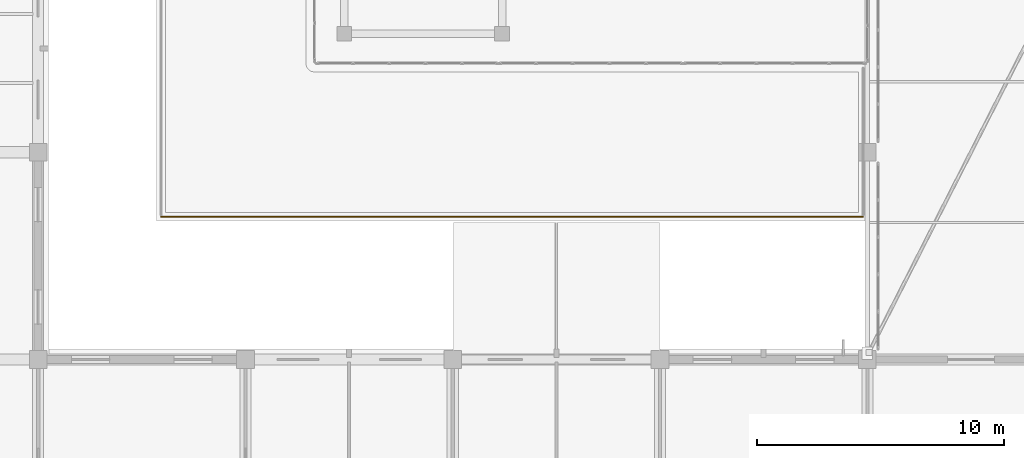
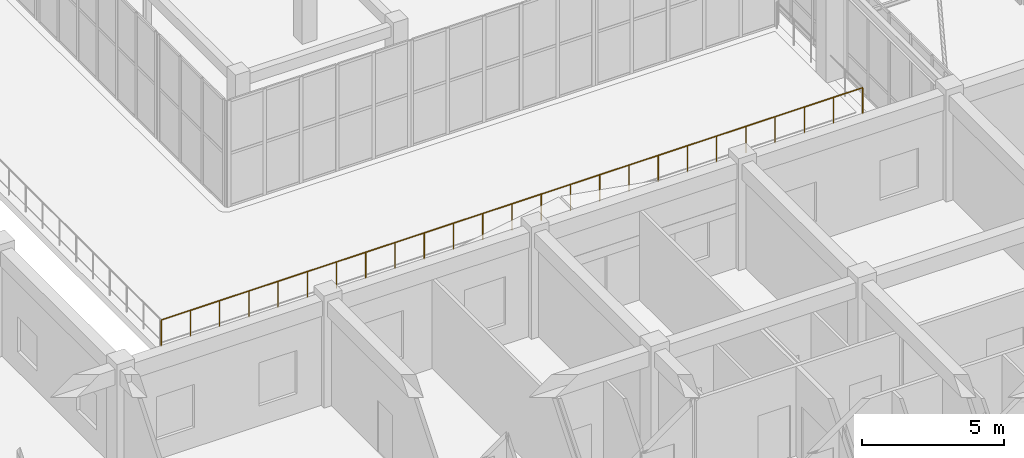
# One storey, part 145 of 158: 1 railing.
"""IFC4 building model written with IfcOpenShell, lengths in metres."""

from ifc_helpers import new_model, si_unit, direction, frame, origin, origin_2d, place, context, subcontext, project, spatial, circle, extrude, material, type_object, element, save


model = new_model("IFC4")

# Units and contexts
model_context = context("Model", 3, precision=1e-05, world=origin(), true_north=direction((0.0, 1.0)))
body_context = subcontext(model_context, "Body", "Model", "MODEL_VIEW")
ifc_project = project(units=[si_unit("LENGTHUNIT", "METRE"), si_unit("AREAUNIT", "SQUARE_METRE"), si_unit("VOLUMEUNIT", "CUBIC_METRE"), si_unit("PLANEANGLEUNIT", "RADIAN"), si_unit("MASSUNIT", "GRAM", prefix="KILO")], contexts=[model_context])

# Site, building, storey
site_placement = place(None, origin())
site = spatial("IfcSite", under=ifc_project, at=site_placement, CompositionType="ELEMENT")
building_placement = place(site_placement, origin())
building = spatial("IfcBuilding", under=site, at=building_placement, Name="Trelvath General Hospital", CompositionType="ELEMENT")
storey_placement = place(building_placement, frame((0.0, 0.0, 8.10009765625)))
storey = spatial("IfcBuildingStorey", under=building, at=storey_placement, Name="L02", CompositionType="ELEMENT", Elevation=8.10009765625)

# Railing
ifc_material = material(Name="Architectural painted steel", Category="steel")
railing_type = type_object("IfcRailingType", Name="Guardrail Terrace1150", PredefinedType="GUARDRAIL", material=ifc_material)
railing_placement = place(storey_placement, frame((46.97998046875, 30.97998046875, 0.0)))
element("IfcRailing", 1, at=railing_placement, inside=storey, type_object=railing_type, Name="Cube Terrace Guardrail TERR-CW-U2 1 19", PredefinedType="GUARDRAIL", context=body_context, shape_type="SweptSolid", body=[
    extrude(circle(Radius=0.02392578125, at=origin_2d()), frame((0.0, 0.0, 1.1259765625), z_axis=(1.0, 0.0, 0.0), x_axis=(0.0, 1.0, 0.0)), (0.0, 0.0, 1.0), 28.43994140625),
    extrude(circle(Radius=0.02099609375, at=origin_2d()), origin(), (0.0, 0.0, 1.0), 1.099853515625),
    extrude(circle(Radius=0.02099609375, at=origin_2d()), frame((1.18505859375, 0.0, 0.0)), (0.0, 0.0, 1.0), 1.099853515625),
    extrude(circle(Radius=0.02099609375, at=origin_2d()), frame((2.3701171875, 0.0, 0.0)), (0.0, 0.0, 1.0), 1.099853515625),
    extrude(circle(Radius=0.02099609375, at=origin_2d()), frame((3.554931640625, 0.0, 0.0)), (0.0, 0.0, 1.0), 1.099853515625),
    extrude(circle(Radius=0.02099609375, at=origin_2d()), frame((4.739990234375, 0.0, 0.0)), (0.0, 0.0, 1.0), 1.099853515625),
    extrude(circle(Radius=0.02099609375, at=origin_2d()), frame((5.925048828125, 0.0, 0.0)), (0.0, 0.0, 1.0), 1.099853515625),
    extrude(circle(Radius=0.02099609375, at=origin_2d()), frame((7.10986328125, 0.0, 0.0)), (0.0, 0.0, 1.0), 1.099853515625),
    extrude(circle(Radius=0.02099609375, at=origin_2d()), frame((8.294921875, 0.0, 0.0)), (0.0, 0.0, 1.0), 1.099853515625),
    extrude(circle(Radius=0.02099609375, at=origin_2d()), frame((9.47998046875, 0.0, 0.0)), (0.0, 0.0, 1.0), 1.099853515625),
    extrude(circle(Radius=0.02099609375, at=origin_2d()), frame((10.6650390625, 0.0, 0.0)), (0.0, 0.0, 1.0), 1.099853515625),
    extrude(circle(Radius=0.02099609375, at=origin_2d()), frame((11.85009765625, 0.0, 0.0)), (0.0, 0.0, 1.0), 1.099853515625),
    extrude(circle(Radius=0.02099609375, at=origin_2d()), frame((13.034912109375, 0.0, 0.0)), (0.0, 0.0, 1.0), 1.099853515625),
    extrude(circle(Radius=0.02099609375, at=origin_2d()), frame((14.219970703125, 0.0, 0.0)), (0.0, 0.0, 1.0), 1.099853515625),
    extrude(circle(Radius=0.02099609375, at=origin_2d()), frame((15.405029296875, 0.0, 0.0)), (0.0, 0.0, 1.0), 1.099853515625),
    extrude(circle(Radius=0.02099609375, at=origin_2d()), frame((16.58984375, 0.0, 0.0)), (0.0, 0.0, 1.0), 1.099853515625),
    extrude(circle(Radius=0.02099609375, at=origin_2d()), frame((17.77490234375, 0.0, 0.0)), (0.0, 0.0, 1.0), 1.099853515625),
    extrude(circle(Radius=0.02099609375, at=origin_2d()), frame((18.9599609375, 0.0, 0.0)), (0.0, 0.0, 1.0), 1.099853515625),
    extrude(circle(Radius=0.02099609375, at=origin_2d()), frame((20.14501953125, 0.0, 0.0)), (0.0, 0.0, 1.0), 1.099853515625),
    extrude(circle(Radius=0.02099609375, at=origin_2d()), frame((21.330078125, 0.0, 0.0)), (0.0, 0.0, 1.0), 1.099853515625),
    extrude(circle(Radius=0.02099609375, at=origin_2d()), frame((22.514892578125, 0.0, 0.0)), (0.0, 0.0, 1.0), 1.099853515625),
    extrude(circle(Radius=0.02099609375, at=origin_2d()), frame((23.699951171875, 0.0, 0.0)), (0.0, 0.0, 1.0), 1.099853515625),
    extrude(circle(Radius=0.02099609375, at=origin_2d()), frame((24.885009765625, 0.0, 0.0)), (0.0, 0.0, 1.0), 1.099853515625),
    extrude(circle(Radius=0.02099609375, at=origin_2d()), frame((26.06982421875, 0.0, 0.0)), (0.0, 0.0, 1.0), 1.099853515625),
    extrude(circle(Radius=0.02099609375, at=origin_2d()), frame((27.2548828125, 0.0, 0.0)), (0.0, 0.0, 1.0), 1.099853515625),
    extrude(circle(Radius=0.02099609375, at=origin_2d()), frame((28.43994140625, 0.0, 0.0)), (0.0, 0.0, 1.0), 1.099853515625),
])

save(model, "model.ifc")
